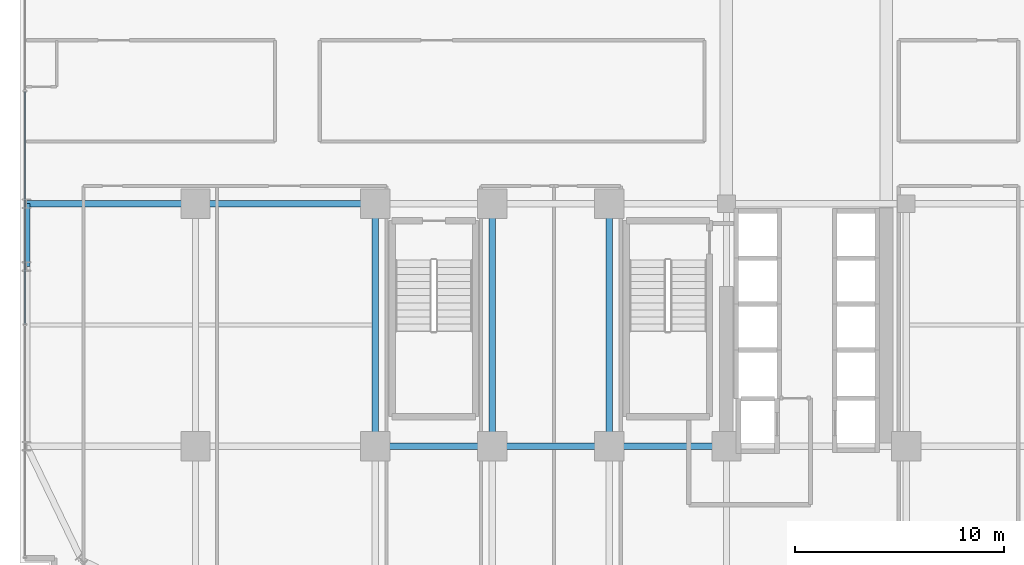
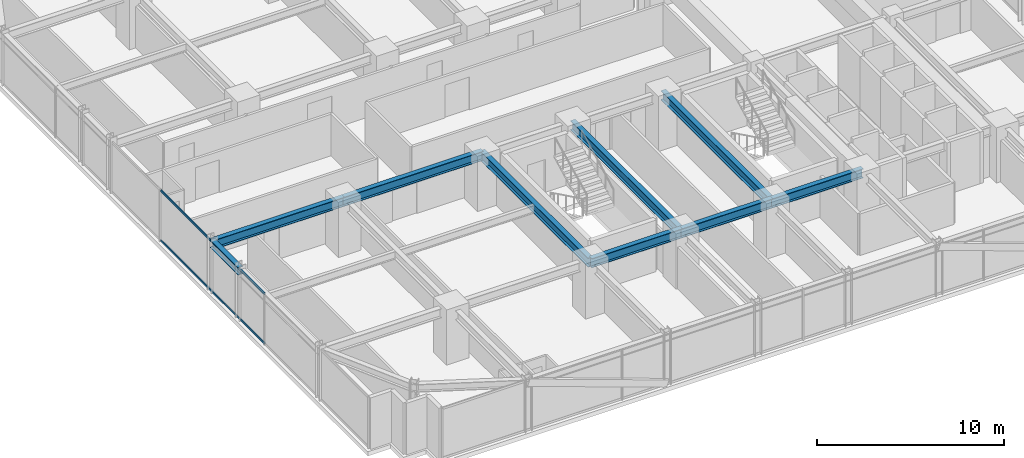
# One storey, part 9 of 35: 9 beams, 2 members, 1 element without a shape of its own.
"""IFC4 building model written with IfcOpenShell, lengths in metres."""

from ifc_helpers import new_model, si_unit, direction, frame, origin, origin_2d, place, context, subcontext, project, spatial, hollow_rectangle, i_section, extrude, source, transform, mapped, material, material_profile, profile_set, type_object, element, aggregate, save


model = new_model("IFC4")

# Units and contexts
model_context = context("Model", 3, precision=1e-05, world=origin(), true_north=direction((0.0, 1.0)))
body_context = subcontext(model_context, "Body", "Model", "MODEL_VIEW")
ifc_project = project(units=[si_unit("LENGTHUNIT", "METRE"), si_unit("AREAUNIT", "SQUARE_METRE"), si_unit("VOLUMEUNIT", "CUBIC_METRE"), si_unit("PLANEANGLEUNIT", "RADIAN"), si_unit("MASSUNIT", "GRAM", prefix="KILO")], contexts=[model_context])

# Site, building, storey
site_placement = place(None, origin())
site = spatial("IfcSite", under=ifc_project, at=site_placement, CompositionType="ELEMENT")
building_placement = place(site_placement, origin())
building = spatial("IfcBuilding", under=site, at=building_placement, Name="Nahalor Promenade Grand Hotel", CompositionType="ELEMENT")
storey_placement = place(building_placement, frame((0.0, 0.0, 39.699951171875)))
storey = spatial("IfcBuildingStorey", under=building, at=storey_placement, Name="L08", CompositionType="ELEMENT", Elevation=39.699951171875)

# Beams
ifc_material_1 = material(Name="Steel S355JR", Category="steel")
ifc_material_profile_1 = material_profile(ifc_material_1, i_section(OverallWidth=0.3, OverallDepth=0.6, WebThickness=0.0155, FlangeThickness=0.03, at=origin_2d()), Name="HEB 600")
ifc_profile_set_1 = profile_set([ifc_material_profile_1], Name="Steel S355JR")
beam_type_1 = type_object("IfcBeamType", Name="Beam-Girder-HEB600", PredefinedType="BEAM", material=ifc_profile_set_1)
shared_shape_1 = source(origin(), body_context, "Body", "SweptSolid", [
    extrude(i_section(OverallWidth=0.3, OverallDepth=0.6, WebThickness=0.0155, FlangeThickness=0.03, at=origin_2d()), origin(), (0.0, 0.0, 1.0), 8.60009765625),
])
beam_1_placement = place(storey_placement, frame((-17.0, -5.39990234375, 3.070068359375), z_axis=(1.0, 0.0, 0.0), x_axis=(0.0, 1.0, 0.0)))
element("IfcBeam", 1, at=beam_1_placement, inside=storey, type_object=beam_type_1, Name="BM-L08-GX-1-1", PredefinedType="BEAM", context=body_context, shape_type="MappedRepresentation", body=[
    mapped(shared_shape_1, transform((0.0, 0.0, 0.0), scale=1.0)),
])
shared_shape_2 = source(origin(), body_context, "Body", "SweptSolid", [
    extrude(i_section(OverallWidth=0.3, OverallDepth=0.6, WebThickness=0.0155, FlangeThickness=0.03, at=origin_2d()), origin(), (0.0, 0.0, 1.0), 5.599853515625),
])
for number, where, z_axis, x_axis, name in (
    (2, (-8.39990234375, -17.0, 3.070068359375), (1.0, 0.0, 0.0), (0.0, 1.0, 0.0), "BM-L08-GX-0-2"),
    (3, (2.800048828125, -17.0, 3.070068359375), (1.0, 0.0, 0.0), (0.0, 1.0, 0.0), "BM-L08-GX-0-4"),
):
    element("IfcBeam", number, at=place(storey_placement, frame(where, z_axis=z_axis, x_axis=x_axis)), inside=storey, type_object=beam_type_1, Name=name, PredefinedType="BEAM", context=body_context, shape_type="MappedRepresentation", body=[
        mapped(shared_shape_2, transform((0.0, 0.0, 0.0), scale=1.0)),
    ])
shared_shape_3 = source(origin(), body_context, "Body", "SweptSolid", [
    extrude(i_section(OverallWidth=0.3, OverallDepth=0.6, WebThickness=0.0155, FlangeThickness=0.03, at=origin_2d()), origin(), (0.0, 0.0, 1.0), 5.60009765625),
])
beam_2_placement = place(storey_placement, frame((-2.800048828125, -17.0, 3.070068359375), z_axis=(1.0, 0.0, 0.0), x_axis=(0.0, 1.0, 0.0)))
element("IfcBeam", 4, at=beam_2_placement, inside=storey, type_object=beam_type_1, Name="BM-L08-GX-0-3", PredefinedType="BEAM", context=body_context, shape_type="MappedRepresentation", body=[
    mapped(shared_shape_3, transform((0.0, 0.0, 0.0), scale=1.0)),
])
shared_shape_4 = source(origin(), body_context, "Body", "SweptSolid", [
    extrude(i_section(OverallWidth=0.3, OverallDepth=0.6, WebThickness=0.0155, FlangeThickness=0.03, at=origin_2d()), origin(), (0.0, 0.0, 1.0), 11.60009765625),
])
for number, where, z_axis, x_axis, name in (
    (5, (-8.39990234375, -17.0, 3.070068359375), (0.0, 1.0, 0.0), (-1.0, 0.0, 0.0), "BM-L08-GY-1-1"),
    (6, (-2.800048828125, -17.0, 3.070068359375), (0.0, 1.0, 0.0), (-1.0, 0.0, 0.0), "BM-L08-GY-2-1"),
    (7, (2.800048828125, -17.0, 3.070068359375), (0.0, 1.0, 0.0), (-1.0, 0.0, 0.0), "BM-L08-GY-3-1"),
):
    element("IfcBeam", number, at=place(storey_placement, frame(where, z_axis=z_axis, x_axis=x_axis)), inside=storey, type_object=beam_type_1, Name=name, PredefinedType="BEAM", context=body_context, shape_type="MappedRepresentation", body=[
        mapped(shared_shape_4, transform((0.0, 0.0, 0.0), scale=1.0)),
    ])
ifc_material_profile_2 = material_profile(ifc_material_1, i_section(OverallWidth=0.3, OverallDepth=0.5, WebThickness=0.0145, FlangeThickness=0.028, at=origin_2d()), Name="HEB 500")
ifc_profile_set_2 = profile_set([ifc_material_profile_2], Name="Steel S355JR")
beam_type_2 = type_object("IfcBeamType", Name="Beam-Spandrel-HEB500", PredefinedType="SPANDREL", material=ifc_profile_set_2)
shared_shape_5 = source(origin(), body_context, "Body", "SweptSolid", [
    extrude(i_section(OverallWidth=0.3, OverallDepth=0.5, WebThickness=0.0145, FlangeThickness=0.028, at=origin_2d()), origin(), (0.0, 0.0, 1.0), 3.0),
])
beam_3_placement = place(storey_placement, frame((-25.080078125, -8.39990234375, 3.1201171875), z_axis=(0.0, 1.0, 0.0), x_axis=(-1.0, 0.0, 0.0)))
element("IfcBeam", 8, at=beam_3_placement, inside=storey, type_object=beam_type_2, Name="BM-L08-SP-W-1", PredefinedType="SPANDREL", context=body_context, shape_type="MappedRepresentation", body=[
    mapped(shared_shape_5, transform((0.0, 0.0, 0.0), scale=1.0)),
])
shared_shape_6 = source(origin(), body_context, "Body", "SweptSolid", [
    extrude(i_section(OverallWidth=0.3, OverallDepth=0.6, WebThickness=0.0155, FlangeThickness=0.03, at=origin_2d()), origin(), (0.0, 0.0, 1.0), 8.080078125),
])
beam_4_placement = place(storey_placement, frame((-25.080078125, -5.39990234375, 3.070068359375), z_axis=(1.0, 0.0, 0.0), x_axis=(0.0, 1.0, 0.0)))
element("IfcBeam", 9, at=beam_4_placement, inside=storey, type_object=beam_type_1, Name="BM-L08-GX-1-0", PredefinedType="BEAM", context=body_context, shape_type="MappedRepresentation", body=[
    mapped(shared_shape_6, transform((0.0, 0.0, 0.0), scale=1.0)),
])

# Curtain wall, members
ifc_material_2 = material(Name="Anodised Bronze Aluminium EN AW-6063 T6", Category="aluminium")
curtain_wall_type = type_object("IfcCurtainWallType", Name="CW2 Typical Hotel Flush Bronze Unitised Curtain Wall", PredefinedType="USERDEFINED", material=ifc_material_2)
curtain_wall_placement = place(storey_placement, origin())
curtain_wall = element("IfcCurtainWall", 10, at=curtain_wall_placement, inside=storey, type_object=curtain_wall_type, Name="L08 Curtain Wall CW-L08-W-1", ObjectType="UNITISED_CURTAIN_WALL", PredefinedType="USERDEFINED")
ifc_material_profile_3 = material_profile(ifc_material_2, hollow_rectangle(XDim=0.065, YDim=0.13, WallThickness=0.004, at=origin_2d()), Name="CWT 65x130x4")
ifc_profile_set_3 = profile_set([ifc_material_profile_3], Name="Anodised Bronze Aluminium EN AW-6063 T6")
member_type = type_object("IfcMemberType", Name="CWT2 Typical Bronze Transom 65x130", PredefinedType="USERDEFINED", material=ifc_profile_set_3)
shared_shape_7 = source(origin(), body_context, "Body", "SweptSolid", [
    extrude(hollow_rectangle(XDim=0.065, YDim=0.13, WallThickness=0.004, at=origin_2d()), origin(), (0.0, 0.0, 1.0), 11.114990234375),
])
member_1_placement = place(storey_placement, frame((-25.159912109375, -11.1474609375, 0.06494140625), z_axis=(0.0, 1.0, 0.0), x_axis=(-1.0, 0.0, 0.0)))
member_1 = element("IfcMember", 11, at=member_1_placement, type_object=member_type, Name="CW-L08-W-1 Transom 1-0", ObjectType="TRANSOM", PredefinedType="USERDEFINED", context=body_context, shape_type="MappedRepresentation", body=[
    mapped(shared_shape_7, transform((0.0, 0.0, 0.0), scale=1.0)),
])
member_2_placement = place(storey_placement, frame((-25.159912109375, -11.1474609375, 3.304931640625), z_axis=(0.0, 1.0, 0.0), x_axis=(-1.0, 0.0, 0.0)))
member_2 = element("IfcMember", 12, at=member_2_placement, type_object=member_type, Name="CW-L08-W-1 Transom 1-1", ObjectType="TRANSOM", PredefinedType="USERDEFINED", context=body_context, shape_type="MappedRepresentation", body=[
    mapped(shared_shape_7, transform((0.0, 0.0, 0.0), scale=1.0)),
])
aggregate(curtain_wall, [member_1, member_2])

save(model, "model.ifc")
